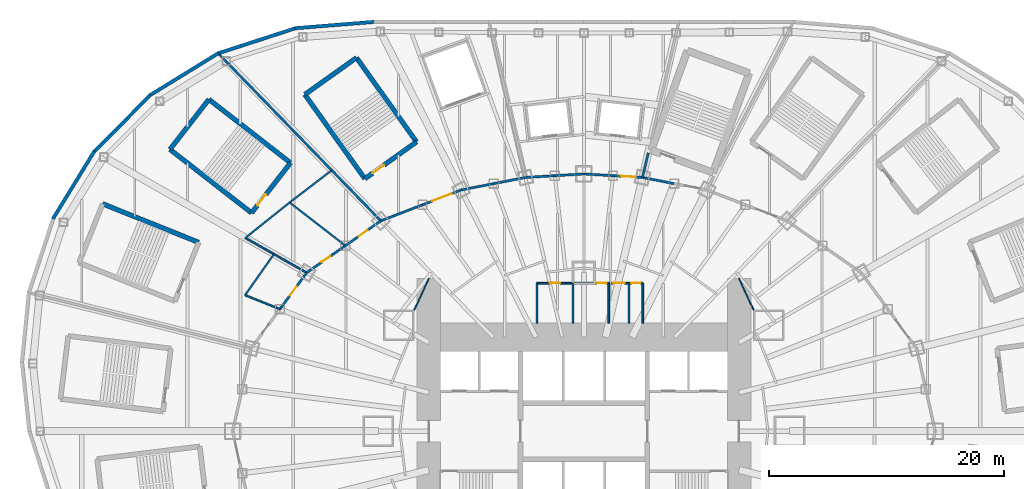
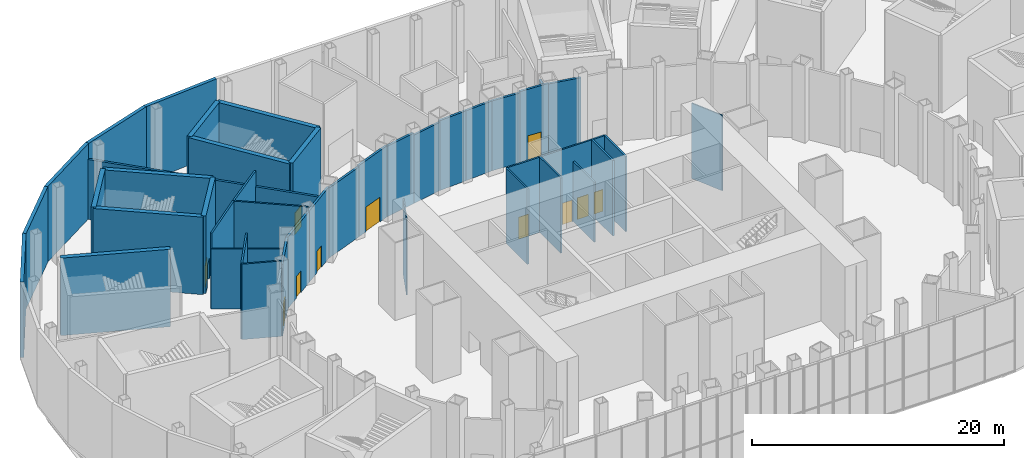
# One storey, part 15 of 73: 42 walls, 11 doors, 11 openings.
"""IFC4 building model written with IfcOpenShell, lengths in metres."""

from ifc_helpers import new_model, si_unit, direction, frame, frame_2d, origin, place, context, subcontext, project, spatial, rectangle, extrude, material, layer, layer_set, type_object, element, fill, save


model = new_model("IFC4")

# Units and contexts
model_context = context("Model", 3, precision=1e-05, world=origin(), true_north=direction((0.0, 1.0)))
body_context = subcontext(model_context, "Body", "Model", "MODEL_VIEW")
ifc_project = project(units=[si_unit("LENGTHUNIT", "METRE"), si_unit("AREAUNIT", "SQUARE_METRE"), si_unit("VOLUMEUNIT", "CUBIC_METRE"), si_unit("PLANEANGLEUNIT", "RADIAN"), si_unit("MASSUNIT", "GRAM", prefix="KILO")], contexts=[model_context])

# Site, building, storey
site_placement = place(None, origin())
site = spatial("IfcSite", under=ifc_project, at=site_placement, CompositionType="ELEMENT")
building_placement = place(site_placement, origin())
building = spatial("IfcBuilding", under=site, at=building_placement, Name="Lantaw Convention Tower", CompositionType="ELEMENT")
storey_placement = place(building_placement, frame((0.0, 0.0, 14.5)))
storey = spatial("IfcBuildingStorey", under=building, at=storey_placement, Name="L02", CompositionType="ELEMENT", Elevation=14.5)

# Walls
ifc_material_1 = material(Name="Gypsum board on steel studs, acoustic", Category="steel")
ifc_layer_1 = layer(ifc_material_1, 0.10009765625)
ifc_layer_set_1 = layer_set([ifc_layer_1], Name="Office partition 100")
wall_type_1 = type_object("IfcWallType", Name="Office partition 100", PredefinedType="PARTITIONING", material=ifc_layer_set_1)
for number, where, z_axis, x_axis, name in (
    (1, (13.199951171875, 13.0, 0.0), (0.0, 0.0, 1.0), (0.420129824888, -0.907464010437, 0.0), "Office partition 100"),
    (2, (-13.199951171875, 13.0, 0.0), (0.0, 0.0, 1.0), (-0.420129824888, -0.907464010437, 0.0), "Office partition 100"),
):
    element("IfcWall", number, at=place(storey_placement, frame(where, z_axis=z_axis, x_axis=x_axis)), inside=storey, type_object=wall_type_1, Name=name, PredefinedType="PARTITIONING", context=body_context, shape_type="SweptSolid", body=[
        extrude(rectangle(XDim=2.975341796875, YDim=0.10009765625, at=frame_2d((1.48779296875, 0.0))), origin(), (0.0, 0.0, 1.0), 7.300048828125),
    ])
ifc_material_2 = material(Name="Precast concrete panel, pale aluminium rainscreen", Category="concrete")
ifc_layer_2 = layer(ifc_material_2, 0.300048828125)
ifc_layer_set_2 = layer_set([ifc_layer_2], Name="Podium external wall 300")
wall_type_2 = type_object("IfcWallType", Name="Podium external wall 300", PredefinedType="SOLIDWALL", material=ifc_layer_set_2)
wall_1_placement = place(storey_placement, frame((-17.781494140625, 34.853759765625, 0.0), z_axis=(0.0, 0.0, 1.0), x_axis=(-0.996791084449, -0.080047073422, 0.0)))
element("IfcWall", 3, at=wall_1_placement, inside=storey, type_object=wall_type_2, Name="Podium facade wall", PredefinedType="SOLIDWALL", context=body_context, shape_type="SweptSolid", body=[
    extrude(rectangle(XDim=6.84716796875, YDim=0.300048828125, at=frame_2d((3.423583984375, 0.0))), origin(), (0.0, 0.0, 1.0), 7.300048828125),
])
wall_2_placement = place(storey_placement, frame((-24.49462890625, 34.327880859375, 0.0), z_axis=(0.0, 0.0, 1.0), x_axis=(-0.951140010357, -0.308759907853, 0.0)))
element("IfcWall", 4, at=wall_2_placement, inside=storey, type_object=wall_type_2, Name="Podium facade wall", PredefinedType="SOLIDWALL", context=body_context, shape_type="SweptSolid", body=[
    extrude(rectangle(XDim=7.041259765625, YDim=0.300048828125, at=frame_2d((3.5205078125, 0.0))), origin(), (0.0, 0.0, 1.0), 7.300048828125),
])
wall_3_placement = place(storey_placement, frame((-31.087646484375, 32.201904296875, 0.0), z_axis=(0.0, 0.0, 1.0), x_axis=(-0.851808565246, -0.52385319334, 0.0)))
element("IfcWall", 5, at=wall_3_placement, inside=storey, type_object=wall_type_2, Name="Podium facade wall", PredefinedType="SOLIDWALL", context=body_context, shape_type="SweptSolid", body=[
    extrude(rectangle(XDim=6.860595703125, YDim=0.300048828125, at=frame_2d((3.43017578125, 0.0))), origin(), (0.0, 0.0, 1.0), 7.300048828125),
])
wall_4_placement = place(storey_placement, frame((-36.841552734375, 28.678955078125, 0.0), z_axis=(0.0, 0.0, 1.0), x_axis=(-0.705874614645, -0.708336804352, 0.0)))
element("IfcWall", 6, at=wall_4_placement, inside=storey, type_object=wall_type_2, Name="Podium facade wall", PredefinedType="SOLIDWALL", context=body_context, shape_type="SweptSolid", body=[
    extrude(rectangle(XDim=6.94091796875, YDim=0.300048828125, at=frame_2d((3.470458984375, 0.0))), origin(), (0.0, 0.0, 1.0), 7.300048828125),
])
wall_5_placement = place(storey_placement, frame((-41.670166015625, 23.852294921875, 0.0), z_axis=(0.0, 0.0, 1.0), x_axis=(-0.52225340952, -0.852790347181, 0.0)))
element("IfcWall", 7, at=wall_5_placement, inside=storey, type_object=wall_type_2, Name="Podium facade wall", PredefinedType="SOLIDWALL", context=body_context, shape_type="SweptSolid", body=[
    extrude(rectangle(XDim=6.77099609375, YDim=0.300048828125, at=frame_2d((3.385498046875, 0.0))), origin(), (0.0, 0.0, 1.0), 7.300048828125),
])

# Wall, opening, door
ifc_material_3 = material(Name="Concrete blockwork, fire rated", Category="masonry")
ifc_layer_3 = layer(ifc_material_3, 0.199951171875)
ifc_layer_set_3 = layer_set([ifc_layer_3], Name="Podium lobby wall 200 EI 120")
wall_type_3 = type_object("IfcWallType", Name="Podium lobby wall 200 EI 120", PredefinedType="SOLIDWALL", material=ifc_layer_set_3)
wall_6_placement = place(storey_placement, frame((4.986328125, 21.59814453125, 0.0), z_axis=(0.0, 0.0, 1.0), x_axis=(-0.998172405641, 0.060430527186, 0.0)))
wall_6 = element("IfcWall", 8, at=wall_6_placement, inside=storey, type_object=wall_type_3, Name="Podium lobby wall 200", PredefinedType="SOLIDWALL", context=body_context, shape_type="SweptSolid", body=[
    extrude(rectangle(XDim=2.512939453125, YDim=0.199951171875, at=frame_2d((1.25634765625, 0.0))), origin(), (0.0, 0.0, 1.0), 6.896240234375),
])
opening_1_placement = place(wall_6_placement, frame((0.639892578125, 0.0, 0.0)))
opening_1 = element("IfcOpeningElement", 9, at=opening_1_placement, cuts=wall_6, Name="Opening L02.16", PredefinedType="OPENING", context=body_context, shape_type="SweptSolid", body=[
    extrude(rectangle(XDim=1.199951171875, YDim=2.39990234375, at=frame_2d((0.60009765625, 1.199951171875))), frame((0.0, 0.10986328125, 0.0), z_axis=(0.0, -1.0, 0.0), x_axis=(1.0, 0.0, 0.0)), (0.0, 0.0, 1.0), 0.219970703125),
])
ifc_material_4 = material(Name="Steel, fire rated", Category="steel")
door_type_1 = type_object("IfcDoorType", Name="Lobby door 1200 FD90", OperationType="SINGLE_SWING_RIGHT", PredefinedType="DOOR", material=ifc_material_4)
door_1_placement = place(opening_1_placement, origin())
door_1 = element("IfcDoor", 10, at=door_1_placement, inside=storey, type_object=door_type_1, Name="Podium lift lobby door", OperationType="SINGLE_SWING_RIGHT", OverallHeight=2.39990234375, OverallWidth=1.199951171875, PredefinedType="DOOR", context=body_context, shape_type="SweptSolid", body=[
    extrude(rectangle(XDim=1.199951171875, YDim=2.39990234375, at=frame_2d((0.60009765625, 1.199951171875))), frame((0.0, 0.02490234375, 0.0), z_axis=(0.0, -1.0, 0.0), x_axis=(1.0, 0.0, 0.0)), (0.0, 0.0, 1.0), 0.050048828125),
])
fill(opening_1, door_1)

# Walls
ifc_material_5 = material(Name="Concrete blockwork", Category="masonry")
ifc_layer_4 = layer(ifc_material_5, 0.199951171875)
ifc_layer_set_4 = layer_set([ifc_layer_4], Name="Podium partition 200")
wall_type_4 = type_object("IfcWallType", Name="Podium partition 200", PredefinedType="SOLIDWALL", material=ifc_layer_set_4)
wall_7_placement = place(storey_placement, frame((7.671142578125, 21.076416015625, 0.0), z_axis=(0.0, 0.0, 1.0), x_axis=(-0.981637218105, 0.190757364289, 0.0)))
element("IfcWall", 11, at=wall_7_placement, inside=storey, type_object=wall_type_4, Name="Podium partition 200", PredefinedType="SOLIDWALL", context=body_context, shape_type="SweptSolid", body=[
    extrude(rectangle(XDim=2.735107421875, YDim=0.199951171875, at=frame_2d((1.36767578125, 0.0))), origin(), (0.0, 0.0, 1.0), 6.837646484375),
])
for number, where, z_axis, x_axis, name in (
    (12, (2.47802734375, 21.75, 0.0), (0.0, 0.0, 1.0), (-0.998175328335, 0.060382231685, 0.0), "Podium partition 200"),
    (13, (0.0, 21.89990234375, 0.0), (0.0, 0.0, 1.0), (-0.998175328335, -0.060382231685, 0.0), "Podium partition 200"),
):
    element("IfcWall", number, at=place(storey_placement, frame(where, z_axis=z_axis, x_axis=x_axis)), inside=storey, type_object=wall_type_4, Name=name, PredefinedType="SOLIDWALL", context=body_context, shape_type="SweptSolid", body=[
        extrude(rectangle(XDim=2.482666015625, YDim=0.199951171875, at=frame_2d((1.2412109375, 0.0))), origin(), (0.0, 0.0, 1.0), 6.76416015625),
    ])
wall_8_placement = place(storey_placement, frame((-2.47802734375, 21.75, 0.0), z_axis=(0.0, 0.0, 1.0), x_axis=(-0.998172405641, -0.060430527186, 0.0)))
element("IfcWall", 14, at=wall_8_placement, inside=storey, type_object=wall_type_4, Name="Podium partition 200", PredefinedType="SOLIDWALL", context=body_context, shape_type="SweptSolid", body=[
    extrude(rectangle(XDim=2.512939453125, YDim=0.199951171875, at=frame_2d((1.25634765625, 0.0))), origin(), (0.0, 0.0, 1.0), 6.76416015625),
])
wall_9_placement = place(storey_placement, frame((-4.986328125, 21.59814453125, 0.0), z_axis=(0.0, 0.0, 1.0), x_axis=(-0.981637218105, -0.190757364289, 0.0)))
element("IfcWall", 15, at=wall_9_placement, inside=storey, type_object=wall_type_4, Name="Podium partition 200", PredefinedType="SOLIDWALL", context=body_context, shape_type="SweptSolid", body=[
    extrude(rectangle(XDim=2.735107421875, YDim=0.199951171875, at=frame_2d((1.36767578125, 0.0))), origin(), (0.0, 0.0, 1.0), 6.606689453125),
])
wall_10_placement = place(storey_placement, frame((-7.671142578125, 21.076416015625, 0.0), z_axis=(0.0, 0.0, 1.0), x_axis=(-0.98163593748, -0.190763954266, 0.0)))
element("IfcWall", 16, at=wall_10_placement, inside=storey, type_object=wall_type_4, Name="Podium partition 200", PredefinedType="SOLIDWALL", context=body_context, shape_type="SweptSolid", body=[
    extrude(rectangle(XDim=2.84375, YDim=0.199951171875, at=frame_2d((1.421875, 0.0))), origin(), (0.0, 0.0, 1.0), 6.837646484375),
])

# Wall, opening, door
wall_11_placement = place(storey_placement, frame((-10.462646484375, 20.533935546875, 0.0), z_axis=(0.0, 0.0, 1.0), x_axis=(-0.933241815012, -0.359248820058, 0.0)))
wall_11 = element("IfcWall", 17, at=wall_11_placement, inside=storey, type_object=wall_type_4, Name="Podium partition 200", PredefinedType="SOLIDWALL", context=body_context, shape_type="SweptSolid", body=[
    extrude(rectangle(XDim=3.517578125, YDim=0.199951171875, at=frame_2d((1.7587890625, 0.0))), origin(), (0.0, 0.0, 1.0), 6.896240234375),
])
opening_2_placement = place(wall_11_placement, frame((0.85888671875, 0.0, 0.0)))
opening_2 = element("IfcOpeningElement", 18, at=opening_2_placement, cuts=wall_11, Name="Opening L02.17", PredefinedType="OPENING", context=body_context, shape_type="SweptSolid", body=[
    extrude(rectangle(XDim=1.800048828125, YDim=2.39990234375, at=frame_2d((0.89990234375, 1.199951171875))), frame((0.0, 0.10986328125, 0.0), z_axis=(0.0, -1.0, 0.0), x_axis=(1.0, 0.0, 0.0)), (0.0, 0.0, 1.0), 0.219970703125),
])
ifc_material_6 = material(Name="Timber", Category="wood")
door_type_2 = type_object("IfcDoorType", Name="Hall double door 1800", OperationType="DOUBLE_DOOR_DOUBLE_SWING", PredefinedType="DOOR", material=ifc_material_6)
door_2_placement = place(opening_2_placement, origin())
door_2 = element("IfcDoor", 19, at=door_2_placement, inside=storey, type_object=door_type_2, Name="Ballroom service corridor door", OperationType="DOUBLE_DOOR_DOUBLE_SWING", OverallHeight=2.39990234375, OverallWidth=1.800048828125, PredefinedType="DOOR", context=body_context, shape_type="SweptSolid", body=[
    extrude(rectangle(XDim=1.800048828125, YDim=2.39990234375, at=frame_2d((0.89990234375, 1.199951171875))), frame((0.0, 0.02490234375, 0.0), z_axis=(0.0, -1.0, 0.0), x_axis=(1.0, 0.0, 0.0)), (0.0, 0.0, 1.0), 0.050048828125),
])
fill(opening_2, door_2)

# Wall
wall_12_placement = place(storey_placement, frame((-13.745361328125, 19.270263671875, 0.0), z_axis=(0.0, 0.0, 1.0), x_axis=(-0.933224646415, -0.359293416754, 0.0)))
element("IfcWall", 20, at=wall_12_placement, inside=storey, type_object=wall_type_4, Name="Podium partition 200", PredefinedType="SOLIDWALL", context=body_context, shape_type="SweptSolid", body=[
    extrude(rectangle(XDim=3.799072265625, YDim=0.199951171875, at=frame_2d((1.8994140625, 0.0))), origin(), (0.0, 0.0, 1.0), 6.76416015625),
])

# Wall, opening, door
wall_13_placement = place(storey_placement, frame((-17.290771484375, 17.9052734375, 0.0), z_axis=(0.0, 0.0, 1.0), x_axis=(-0.819409395821, -0.573208724672, 0.0)))
wall_13 = element("IfcWall", 21, at=wall_13_placement, inside=storey, type_object=wall_type_4, Name="Podium partition 200", PredefinedType="SOLIDWALL", context=body_context, shape_type="SweptSolid", body=[
    extrude(rectangle(XDim=3.682861328125, YDim=0.199951171875, at=frame_2d((1.84130859375, 0.0))), origin(), (0.0, 0.0, 1.0), 6.896240234375),
])
opening_3_placement = place(wall_13_placement, frame((1.391357421875, 0.0, 0.0)))
opening_3 = element("IfcOpeningElement", 22, at=opening_3_placement, cuts=wall_13, Name="Opening L02.18", PredefinedType="OPENING", context=body_context, shape_type="SweptSolid", body=[
    extrude(rectangle(XDim=0.89990234375, YDim=2.10009765625, at=frame_2d((0.449951171875, 1.050048828125))), frame((0.0, 0.10986328125, 0.0), z_axis=(0.0, -1.0, 0.0), x_axis=(1.0, 0.0, 0.0)), (0.0, 0.0, 1.0), 0.219970703125),
])
door_type_3 = type_object("IfcDoorType", Name="WC door 900", OperationType="SINGLE_SWING_LEFT", PredefinedType="DOOR", material=ifc_material_6)
door_3_placement = place(opening_3_placement, origin())
door_3 = element("IfcDoor", 23, at=door_3_placement, inside=storey, type_object=door_type_3, Name="Male WC door", OperationType="SINGLE_SWING_LEFT", OverallHeight=2.10009765625, OverallWidth=0.89990234375, PredefinedType="DOOR", context=body_context, shape_type="SweptSolid", body=[
    extrude(rectangle(XDim=0.89990234375, YDim=2.10009765625, at=frame_2d((0.449951171875, 1.050048828125))), frame((0.0, 0.02490234375, 0.0), z_axis=(0.0, -1.0, 0.0), x_axis=(1.0, 0.0, 0.0)), (0.0, 0.0, 1.0), 0.050048828125),
])
fill(opening_3, door_3)

wall_14_placement = place(storey_placement, frame((-20.30859375, 15.794189453125, 0.0), z_axis=(0.0, 0.0, 1.0), x_axis=(-0.819442856133, -0.573160889744, 0.0)))
wall_14 = element("IfcWall", 24, at=wall_14_placement, inside=storey, type_object=wall_type_4, Name="Podium partition 200", PredefinedType="SOLIDWALL", context=body_context, shape_type="SweptSolid", body=[
    extrude(rectangle(XDim=4.022705078125, YDim=0.199951171875, at=frame_2d((2.01123046875, 0.0))), origin(), (0.0, 0.0, 1.0), 6.896240234375),
])
opening_4_placement = place(wall_14_placement, frame((1.561279296875, 0.0, 0.0)))
opening_4 = element("IfcOpeningElement", 25, at=opening_4_placement, cuts=wall_14, Name="Opening L02.19", PredefinedType="OPENING", context=body_context, shape_type="SweptSolid", body=[
    extrude(rectangle(XDim=0.89990234375, YDim=2.10009765625, at=frame_2d((0.449951171875, 1.050048828125))), frame((0.0, 0.10986328125, 0.0), z_axis=(0.0, -1.0, 0.0), x_axis=(1.0, 0.0, 0.0)), (0.0, 0.0, 1.0), 0.219970703125),
])
door_4_placement = place(opening_4_placement, origin())
door_4 = element("IfcDoor", 26, at=door_4_placement, inside=storey, type_object=door_type_3, Name="Female WC door", OperationType="SINGLE_SWING_LEFT", OverallHeight=2.10009765625, OverallWidth=0.89990234375, PredefinedType="DOOR", context=body_context, shape_type="SweptSolid", body=[
    extrude(rectangle(XDim=0.89990234375, YDim=2.10009765625, at=frame_2d((0.449951171875, 1.050048828125))), frame((0.0, 0.02490234375, 0.0), z_axis=(0.0, -1.0, 0.0), x_axis=(1.0, 0.0, 0.0)), (0.0, 0.0, 1.0), 0.050048828125),
])
fill(opening_4, door_4)

wall_15_placement = place(storey_placement, frame((-23.60498046875, 13.488525390625, 0.0), z_axis=(0.0, 0.0, 1.0), x_axis=(-0.591286566758, -0.806461527893, 0.0)))
wall_15 = element("IfcWall", 27, at=wall_15_placement, inside=storey, type_object=wall_type_4, Name="Podium partition 200", PredefinedType="SOLIDWALL", context=body_context, shape_type="SweptSolid", body=[
    extrude(rectangle(XDim=3.843994140625, YDim=0.199951171875, at=frame_2d((1.921875, 0.0))), origin(), (0.0, 0.0, 1.0), 6.896240234375),
])
opening_5_placement = place(wall_15_placement, frame((1.422119140625, 0.0, 0.0)))
opening_5 = element("IfcOpeningElement", 28, at=opening_5_placement, cuts=wall_15, Name="Opening L02.20", PredefinedType="OPENING", context=body_context, shape_type="SweptSolid", body=[
    extrude(rectangle(XDim=1.0, YDim=2.10009765625, at=frame_2d((0.5, 1.050048828125))), frame((0.0, 0.10986328125, 0.0), z_axis=(0.0, -1.0, 0.0), x_axis=(1.0, 0.0, 0.0)), (0.0, 0.0, 1.0), 0.219970703125),
])
door_type_4 = type_object("IfcDoorType", Name="Accessible WC door 1000", OperationType="SINGLE_SWING_LEFT", PredefinedType="DOOR", material=ifc_material_6)
door_5_placement = place(opening_5_placement, origin())
door_5 = element("IfcDoor", 29, at=door_5_placement, inside=storey, type_object=door_type_4, Name="Accessible WC door", OperationType="SINGLE_SWING_LEFT", OverallHeight=2.10009765625, OverallWidth=1.0, PredefinedType="DOOR", context=body_context, shape_type="SweptSolid", body=[
    extrude(rectangle(XDim=1.0, YDim=2.10009765625, at=frame_2d((0.5, 1.050048828125))), frame((0.0, 0.02490234375, 0.0), z_axis=(0.0, -1.0, 0.0), x_axis=(1.0, 0.0, 0.0)), (0.0, 0.0, 1.0), 0.050048828125),
])
fill(opening_5, door_5)

# Walls
wall_16_placement = place(storey_placement, frame((4.986328125, 21.59814453125, 0.0), z_axis=(0.0, 0.0, 1.0), x_axis=(0.227351065365, 0.973812863479, 0.0)))
element("IfcWall", 30, at=wall_16_placement, inside=storey, type_object=wall_type_4, Name="Podium partition 200", PredefinedType="SOLIDWALL", context=body_context, shape_type="SweptSolid", body=[
    extrude(rectangle(XDim=2.16064453125, YDim=0.199951171875, at=frame_2d((1.080322265625, 0.0))), origin(), (0.0, 0.0, 1.0), 5.800048828125),
])
wall_17_placement = place(storey_placement, frame((-17.290771484375, 17.9052734375, 0.0), z_axis=(0.0, 0.0, 1.0), x_axis=(-0.696460684513, 0.717594951855, 0.0)))
element("IfcWall", 31, at=wall_17_placement, inside=storey, type_object=wall_type_4, Name="Podium partition 200", PredefinedType="SOLIDWALL", context=body_context, shape_type="SweptSolid", body=[
    extrude(rectangle(XDim=19.880859375, YDim=0.199951171875, at=frame_2d((9.9404296875, 0.0))), origin(), (0.0, 0.0, 1.0), 5.800048828125),
])
ifc_material_7 = material(Name="Concrete C40/50, stair core", Category="concrete")
ifc_layer_5 = layer(ifc_material_7, 0.39990234375)
ifc_layer_set_5 = layer_set([ifc_layer_5], Name="Stair enclosure wall 400 EI 120")
wall_type_5 = type_object("IfcWallType", Name="Stair enclosure wall 400 EI 120", PredefinedType="SHEAR", material=ifc_layer_set_5)
wall_18_placement = place(storey_placement, frame((-14.2509765625, 24.628662109375, 0.0), z_axis=(0.0, 0.0, 1.0), x_axis=(-0.580705313356, 0.814113836659, 0.0)))
element("IfcWall", 32, at=wall_18_placement, inside=storey, type_object=wall_type_5, Name="Stair enclosure wall", PredefinedType="SHEAR", context=body_context, shape_type="SweptSolid", body=[
    extrude(rectangle(XDim=8.7998046875, YDim=0.39990234375, at=frame_2d((4.39990234375, 0.0))), origin(), (0.0, 0.0, 1.0), 7.5),
])
wall_19_placement = place(storey_placement, frame((-19.361083984375, 31.792724609375, 0.0), z_axis=(0.0, 0.0, 1.0), x_axis=(-0.814121252423, -0.580694916762, 0.0)))
element("IfcWall", 33, at=wall_19_placement, inside=storey, type_object=wall_type_5, Name="Stair enclosure wall", PredefinedType="SHEAR", context=body_context, shape_type="SweptSolid", body=[
    extrude(rectangle(XDim=5.39990234375, YDim=0.39990234375, at=frame_2d((2.699951171875, 0.0))), origin(), (0.0, 0.0, 1.0), 7.5),
])
wall_20_placement = place(storey_placement, frame((-23.75732421875, 28.656982421875, 0.0), z_axis=(0.0, 0.0, 1.0), x_axis=(0.580705313356, -0.814113836659, 0.0)))
element("IfcWall", 34, at=wall_20_placement, inside=storey, type_object=wall_type_5, Name="Stair enclosure wall", PredefinedType="SHEAR", context=body_context, shape_type="SweptSolid", body=[
    extrude(rectangle(XDim=8.7998046875, YDim=0.39990234375, at=frame_2d((4.39990234375, 0.0))), origin(), (0.0, 0.0, 1.0), 7.5),
])

# Wall, opening, door
wall_21_placement = place(storey_placement, frame((-18.647216796875, 21.492919921875, 0.0), z_axis=(0.0, 0.0, 1.0), x_axis=(0.814121252423, 0.580694916762, 0.0)))
wall_21 = element("IfcWall", 35, at=wall_21_placement, inside=storey, type_object=wall_type_5, Name="Stair enclosure wall", PredefinedType="SHEAR", context=body_context, shape_type="SweptSolid", body=[
    extrude(rectangle(XDim=5.39990234375, YDim=0.39990234375, at=frame_2d((2.699951171875, 0.0))), origin(), (0.0, 0.0, 1.0), 7.5),
])
opening_6_placement = place(wall_21_placement, frame((0.800048828125, 0.0, 0.0)))
opening_6 = element("IfcOpeningElement", 36, at=opening_6_placement, cuts=wall_21, Name="Opening L02.P6", PredefinedType="OPENING", context=body_context, shape_type="SweptSolid", body=[
    extrude(rectangle(XDim=1.199951171875, YDim=2.10009765625, at=frame_2d((0.60009765625, 1.050048828125))), frame((0.0, 0.2099609375, 0.0), z_axis=(0.0, -1.0, 0.0), x_axis=(1.0, 0.0, 0.0)), (0.0, 0.0, 1.0), 0.419921875),
])
door_type_5 = type_object("IfcDoorType", Name="Stair door FD90", OperationType="SINGLE_SWING_RIGHT", PredefinedType="DOOR", material=ifc_material_4)
door_6_placement = place(opening_6_placement, origin())
door_6 = element("IfcDoor", 37, at=door_6_placement, inside=storey, type_object=door_type_5, Name="Exit stair door", OperationType="SINGLE_SWING_RIGHT", OverallHeight=2.10009765625, OverallWidth=1.199951171875, PredefinedType="DOOR", context=body_context, shape_type="SweptSolid", body=[
    extrude(rectangle(XDim=1.199951171875, YDim=2.10009765625, at=frame_2d((0.60009765625, 1.050048828125))), frame((0.0, 0.02490234375, 0.0), z_axis=(0.0, -1.0, 0.0), x_axis=(1.0, 0.0, 0.0)), (0.0, 0.0, 1.0), 0.050048828125),
])
fill(opening_6, door_6)

# Walls
wall_22_placement = place(storey_placement, frame((-24.9775390625, 22.845703125, 0.0), z_axis=(0.0, 0.0, 1.0), x_axis=(-0.78938060008, 0.613904119726, 0.0)))
element("IfcWall", 38, at=wall_22_placement, inside=storey, type_object=wall_type_5, Name="Stair enclosure wall", PredefinedType="SHEAR", context=body_context, shape_type="SweptSolid", body=[
    extrude(rectangle(XDim=8.800048828125, YDim=0.39990234375, at=frame_2d((4.39990234375, 0.0))), origin(), (0.0, 0.0, 1.0), 7.5),
])
wall_23_placement = place(storey_placement, frame((-31.924072265625, 28.248046875, 0.0), z_axis=(0.0, 0.0, 1.0), x_axis=(-0.613912443548, -0.789374126544, 0.0)))
element("IfcWall", 39, at=wall_23_placement, inside=storey, type_object=wall_type_5, Name="Stair enclosure wall", PredefinedType="SHEAR", context=body_context, shape_type="SweptSolid", body=[
    extrude(rectangle(XDim=5.400146484375, YDim=0.39990234375, at=frame_2d((2.7001953125, 0.0))), origin(), (0.0, 0.0, 1.0), 7.5),
])
wall_24_placement = place(storey_placement, frame((-35.2392578125, 23.9853515625, 0.0), z_axis=(0.0, 0.0, 1.0), x_axis=(0.78938060008, -0.613904119726, 0.0)))
element("IfcWall", 40, at=wall_24_placement, inside=storey, type_object=wall_type_5, Name="Stair enclosure wall", PredefinedType="SHEAR", context=body_context, shape_type="SweptSolid", body=[
    extrude(rectangle(XDim=8.800048828125, YDim=0.39990234375, at=frame_2d((4.39990234375, 0.0))), origin(), (0.0, 0.0, 1.0), 7.5),
])

# Wall, opening, door
wall_25_placement = place(storey_placement, frame((-28.292724609375, 18.5830078125, 0.0), z_axis=(0.0, 0.0, 1.0), x_axis=(0.613912443548, 0.789374126544, 0.0)))
wall_25 = element("IfcWall", 41, at=wall_25_placement, inside=storey, type_object=wall_type_5, Name="Stair enclosure wall", PredefinedType="SHEAR", context=body_context, shape_type="SweptSolid", body=[
    extrude(rectangle(XDim=5.400146484375, YDim=0.39990234375, at=frame_2d((2.7001953125, 0.0))), origin(), (0.0, 0.0, 1.0), 7.5),
])
opening_7_placement = place(wall_25_placement, frame((0.800048828125, 0.0, 0.0)))
opening_7 = element("IfcOpeningElement", 42, at=opening_7_placement, cuts=wall_25, Name="Opening L02.P7", PredefinedType="OPENING", context=body_context, shape_type="SweptSolid", body=[
    extrude(rectangle(XDim=1.199951171875, YDim=2.10009765625, at=frame_2d((0.60009765625, 1.050048828125))), frame((0.0, 0.2099609375, 0.0), z_axis=(0.0, -1.0, 0.0), x_axis=(1.0, 0.0, 0.0)), (0.0, 0.0, 1.0), 0.419921875),
])
door_7_placement = place(opening_7_placement, origin())
door_7 = element("IfcDoor", 43, at=door_7_placement, inside=storey, type_object=door_type_5, Name="Exit stair door", OperationType="SINGLE_SWING_RIGHT", OverallHeight=2.10009765625, OverallWidth=1.199951171875, PredefinedType="DOOR", context=body_context, shape_type="SweptSolid", body=[
    extrude(rectangle(XDim=1.199951171875, YDim=2.10009765625, at=frame_2d((0.60009765625, 1.050048828125))), frame((0.0, 0.02490234375, 0.0), z_axis=(0.0, -1.0, 0.0), x_axis=(1.0, 0.0, 0.0)), (0.0, 0.0, 1.0), 0.050048828125),
])
fill(opening_7, door_7)

# Walls
wall_26_placement = place(storey_placement, frame((-32.800048828125, 16.07666015625, 0.0), z_axis=(0.0, 0.0, 1.0), x_axis=(-0.92801678004, 0.372538395288, 0.0)))
element("IfcWall", 44, at=wall_26_placement, inside=storey, type_object=wall_type_5, Name="Stair enclosure wall", PredefinedType="SHEAR", context=body_context, shape_type="SweptSolid", body=[
    extrude(rectangle(XDim=8.800048828125, YDim=0.39990234375, at=frame_2d((4.39990234375, 0.0))), origin(), (0.0, 0.0, 1.0), 7.5),
])
ifc_layer_6 = layer(ifc_material_5, 0.14990234375)
ifc_layer_set_6 = layer_set([ifc_layer_6], Name="WC wall 150")
wall_type_6 = type_object("IfcWallType", Name="WC wall 150", PredefinedType="SOLIDWALL", material=ifc_layer_set_6)
wall_27_placement = place(storey_placement, frame((-21.469482421875, 22.210693359375, 0.0), z_axis=(0.0, 0.0, 1.0), x_axis=(-0.794122703503, -0.607757461313, 0.0)))
element("IfcWall", 45, at=wall_27_placement, inside=storey, type_object=wall_type_6, Name="WC wall 150", PredefinedType="SOLIDWALL", context=body_context, shape_type="SweptSolid", body=[
    extrude(rectangle(XDim=4.51025390625, YDim=0.14990234375, at=frame_2d((2.255126953125, 0.0))), origin(), (0.0, 0.0, 1.0), 7.300048828125),
])
wall_28_placement = place(storey_placement, frame((-20.30859375, 15.794189453125, 0.0), z_axis=(0.0, 0.0, 1.0), x_axis=(-0.790437708207, 0.61254243073, 0.0)))
element("IfcWall", 46, at=wall_28_placement, inside=storey, type_object=wall_type_6, Name="WC wall 150", PredefinedType="SOLIDWALL", context=body_context, shape_type="SweptSolid", body=[
    extrude(rectangle(XDim=6.0, YDim=0.14990234375, at=frame_2d((3.0, 0.0))), origin(), (0.0, 0.0, 1.0), 7.300048828125),
])
wall_29_placement = place(storey_placement, frame((-25.05126953125, 19.469482421875, 0.0), z_axis=(0.0, 0.0, 1.0), x_axis=(-0.781204641684, -0.624275025779, 0.0)))
element("IfcWall", 47, at=wall_29_placement, inside=storey, type_object=wall_type_6, Name="WC wall 150", PredefinedType="SOLIDWALL", context=body_context, shape_type="SweptSolid", body=[
    extrude(rectangle(XDim=4.8212890625, YDim=0.14990234375, at=frame_2d((2.41064453125, 0.0))), origin(), (0.0, 0.0, 1.0), 7.300048828125),
])
wall_30_placement = place(storey_placement, frame((-23.60498046875, 13.488525390625, 0.0), z_axis=(0.0, 0.0, 1.0), x_axis=(-0.868778495598, 0.49520089417, 0.0)))
element("IfcWall", 48, at=wall_30_placement, inside=storey, type_object=wall_type_6, Name="WC wall 150", PredefinedType="SOLIDWALL", context=body_context, shape_type="SweptSolid", body=[
    extrude(rectangle(XDim=6.0, YDim=0.14990234375, at=frame_2d((3.0, 0.0))), origin(), (0.0, 0.0, 1.0), 5.800048828125),
])
wall_31_placement = place(storey_placement, frame((-26.385009765625, 15.0732421875, 0.0), z_axis=(0.0, 0.0, 1.0), x_axis=(-0.576153892924, -0.81734123331, 0.0)))
element("IfcWall", 49, at=wall_31_placement, inside=storey, type_object=wall_type_6, Name="WC wall 150", PredefinedType="SOLIDWALL", context=body_context, shape_type="SweptSolid", body=[
    extrude(rectangle(XDim=4.274658203125, YDim=0.14990234375, at=frame_2d((2.13720703125, 0.0))), origin(), (0.0, 0.0, 1.0), 7.300048828125),
])
wall_32_placement = place(storey_placement, frame((-25.8779296875, 10.388427734375, 0.0), z_axis=(0.0, 0.0, 1.0), x_axis=(-0.928160641083, 0.372179827966, 0.0)))
element("IfcWall", 50, at=wall_32_placement, inside=storey, type_object=wall_type_6, Name="WC wall 150", PredefinedType="SOLIDWALL", context=body_context, shape_type="SweptSolid", body=[
    extrude(rectangle(XDim=3.199951171875, YDim=0.14990234375, at=frame_2d((1.60009765625, 0.0))), origin(), (0.0, 0.0, 1.0), 7.300048828125),
])

# Wall, openings, doors
wall_33_placement = place(storey_placement, frame((-4.0, 12.60009765625, 0.0), z_axis=(0.0, 0.0, 1.0), x_axis=(1.0, 0.0, 0.0)))
wall_33 = element("IfcWall", 51, at=wall_33_placement, inside=storey, type_object=wall_type_6, Name="WC wall 150", PredefinedType="SOLIDWALL", context=body_context, shape_type="SweptSolid", body=[
    extrude(rectangle(XDim=9.0, YDim=0.14990234375, at=frame_2d((4.5, 0.0))), origin(), (0.0, 0.0, 1.0), 7.300048828125),
])
opening_8_placement = place(wall_33_placement, frame((1.10009765625, 0.0, 0.0)))
opening_8 = element("IfcOpeningElement", 52, at=opening_8_placement, cuts=wall_33, Name="Opening L02.24", PredefinedType="OPENING", context=body_context, shape_type="SweptSolid", body=[
    extrude(rectangle(XDim=0.89990234375, YDim=2.10009765625, at=frame_2d((0.449951171875, 1.050048828125))), frame((0.0, 0.0849609375, 0.0), z_axis=(0.0, -1.0, 0.0), x_axis=(1.0, 0.0, 0.0)), (0.0, 0.0, 1.0), 0.169921875),
])
opening_9_placement = place(wall_33_placement, frame((5.06005859375, 0.0, 0.0)))
opening_9 = element("IfcOpeningElement", 53, at=opening_9_placement, cuts=wall_33, Name="Opening L02.25", PredefinedType="OPENING", context=body_context, shape_type="SweptSolid", body=[
    extrude(rectangle(XDim=0.89990234375, YDim=2.10009765625, at=frame_2d((0.449951171875, 1.050048828125))), frame((0.0, 0.0849609375, 0.0), z_axis=(0.0, -1.0, 0.0), x_axis=(1.0, 0.0, 0.0)), (0.0, 0.0, 1.0), 0.169921875),
])
opening_10_placement = place(wall_33_placement, frame((6.469970703125, 0.0, 0.0)))
opening_10 = element("IfcOpeningElement", 54, at=opening_10_placement, cuts=wall_33, Name="Opening L02.26", PredefinedType="OPENING", context=body_context, shape_type="SweptSolid", body=[
    extrude(rectangle(XDim=1.0, YDim=2.10009765625, at=frame_2d((0.5, 1.050048828125))), frame((0.0, 0.0849609375, 0.0), z_axis=(0.0, -1.0, 0.0), x_axis=(1.0, 0.0, 0.0)), (0.0, 0.0, 1.0), 0.169921875),
])
opening_11_placement = place(wall_33_placement, frame((8.030029296875, 0.0, 0.0)))
opening_11 = element("IfcOpeningElement", 55, at=opening_11_placement, cuts=wall_33, Name="Opening L02.27", PredefinedType="OPENING", context=body_context, shape_type="SweptSolid", body=[
    extrude(rectangle(XDim=0.800048828125, YDim=2.10009765625, at=frame_2d((0.39990234375, 1.050048828125))), frame((0.0, 0.0849609375, 0.0), z_axis=(0.0, -1.0, 0.0), x_axis=(1.0, 0.0, 0.0)), (0.0, 0.0, 1.0), 0.169921875),
])
door_8_placement = place(opening_10_placement, origin())
door_8 = element("IfcDoor", 56, at=door_8_placement, inside=storey, type_object=door_type_4, Name="Accessible WC door", OperationType="SINGLE_SWING_LEFT", OverallHeight=2.10009765625, OverallWidth=1.0, PredefinedType="DOOR", context=body_context, shape_type="SweptSolid", body=[
    extrude(rectangle(XDim=1.0, YDim=2.10009765625, at=frame_2d((0.5, 1.050048828125))), frame((0.0, 0.02490234375, 0.0), z_axis=(0.0, -1.0, 0.0), x_axis=(1.0, 0.0, 0.0)), (0.0, 0.0, 1.0), 0.050048828125),
])
fill(opening_10, door_8)
door_type_6 = type_object("IfcDoorType", Name="WC door 800", OperationType="SINGLE_SWING_LEFT", PredefinedType="DOOR", material=ifc_material_6)
door_9_placement = place(opening_11_placement, origin())
door_9 = element("IfcDoor", 57, at=door_9_placement, inside=storey, type_object=door_type_6, Name="Cleaner's store door", OperationType="SINGLE_SWING_LEFT", OverallHeight=2.10009765625, OverallWidth=0.800048828125, PredefinedType="DOOR", context=body_context, shape_type="SweptSolid", body=[
    extrude(rectangle(XDim=0.800048828125, YDim=2.10009765625, at=frame_2d((0.39990234375, 1.050048828125))), frame((0.0, 0.02490234375, 0.0), z_axis=(0.0, -1.0, 0.0), x_axis=(1.0, 0.0, 0.0)), (0.0, 0.0, 1.0), 0.050048828125),
])
fill(opening_11, door_9)
door_10_placement = place(opening_8_placement, origin())
door_10 = element("IfcDoor", 58, at=door_10_placement, inside=storey, type_object=door_type_3, Name="Male WC door", OperationType="SINGLE_SWING_LEFT", OverallHeight=2.10009765625, OverallWidth=0.89990234375, PredefinedType="DOOR", context=body_context, shape_type="SweptSolid", body=[
    extrude(rectangle(XDim=0.89990234375, YDim=2.10009765625, at=frame_2d((0.449951171875, 1.050048828125))), frame((0.0, 0.02490234375, 0.0), z_axis=(0.0, -1.0, 0.0), x_axis=(1.0, 0.0, 0.0)), (0.0, 0.0, 1.0), 0.050048828125),
])
fill(opening_8, door_10)
door_11_placement = place(opening_9_placement, origin())
door_11 = element("IfcDoor", 59, at=door_11_placement, inside=storey, type_object=door_type_3, Name="Female WC door", OperationType="SINGLE_SWING_LEFT", OverallHeight=2.10009765625, OverallWidth=0.89990234375, PredefinedType="DOOR", context=body_context, shape_type="SweptSolid", body=[
    extrude(rectangle(XDim=0.89990234375, YDim=2.10009765625, at=frame_2d((0.449951171875, 1.050048828125))), frame((0.0, 0.02490234375, 0.0), z_axis=(0.0, -1.0, 0.0), x_axis=(1.0, 0.0, 0.0)), (0.0, 0.0, 1.0), 0.050048828125),
])
fill(opening_9, door_11)

# Walls
for number, where, z_axis, x_axis, name in (
    (60, (-4.0, 9.199951171875, 0.0), (0.0, 0.0, 1.0), (0.0, 1.0, 0.0), "WC wall 150"),
    (61, (5.0, 9.199951171875, 0.0), (0.0, 0.0, 1.0), (0.0, 1.0, 0.0), "WC wall 150"),
    (62, (-0.93994140625, 9.199951171875, 0.0), (0.0, 0.0, 1.0), (0.0, 1.0, 0.0), "WC wall 150"),
):
    element("IfcWall", number, at=place(storey_placement, frame(where, z_axis=z_axis, x_axis=x_axis)), inside=storey, type_object=wall_type_6, Name=name, PredefinedType="SOLIDWALL", context=body_context, shape_type="SweptSolid", body=[
        extrude(rectangle(XDim=3.400146484375, YDim=0.14990234375, at=frame_2d((1.7001953125, 0.0))), origin(), (0.0, 0.0, 1.0), 7.300048828125),
    ])
wall_34_placement = place(storey_placement, frame((2.1201171875, 9.199951171875, 0.0), z_axis=(0.0, 0.0, 1.0), x_axis=(0.0, 1.0, 0.0)))
element("IfcWall", 63, at=wall_34_placement, inside=storey, type_object=wall_type_6, Name="WC wall 150", PredefinedType="SOLIDWALL", context=body_context, shape_type="SweptSolid", body=[
    extrude(rectangle(XDim=3.400146484375, YDim=0.14990234375, at=frame_2d((1.7001953125, 0.0))), origin(), (0.0, 0.0, 1.0), 5.800048828125),
])
wall_35_placement = place(storey_placement, frame((3.830078125, 9.199951171875, 0.0), z_axis=(0.0, 0.0, 1.0), x_axis=(0.0, 1.0, 0.0)))
element("IfcWall", 64, at=wall_35_placement, inside=storey, type_object=wall_type_6, Name="WC wall 150", PredefinedType="SOLIDWALL", context=body_context, shape_type="SweptSolid", body=[
    extrude(rectangle(XDim=3.400146484375, YDim=0.14990234375, at=frame_2d((1.7001953125, 0.0))), origin(), (0.0, 0.0, 1.0), 7.300048828125),
])

save(model, "model.ifc")
